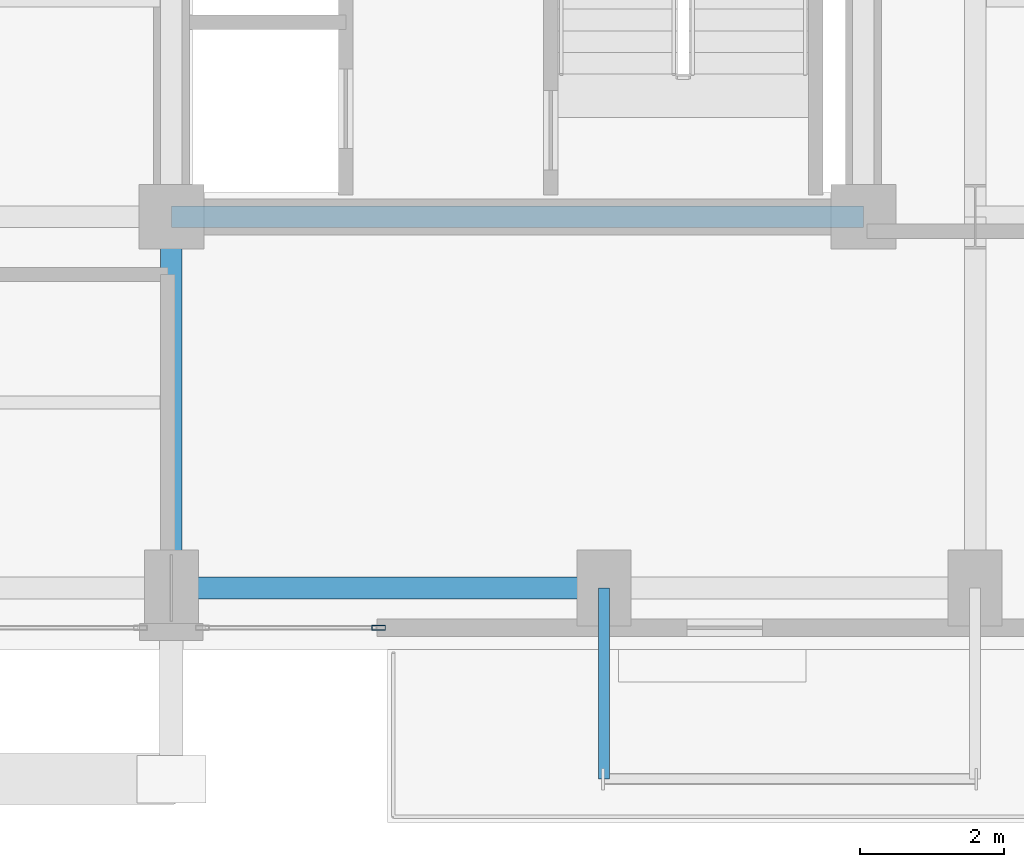
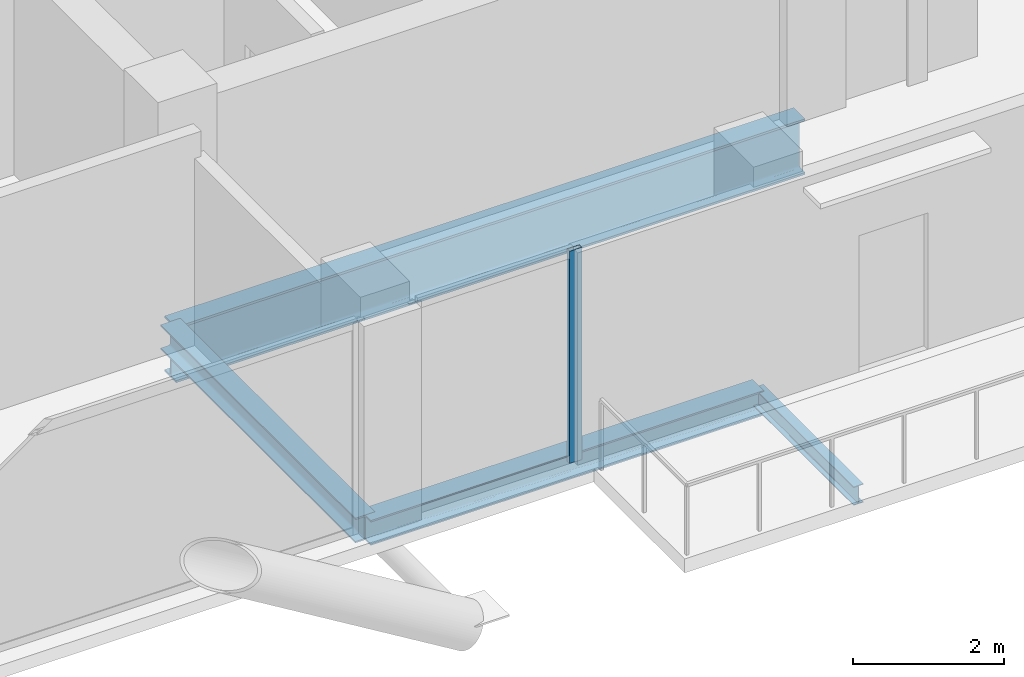
# One storey, part 5 of 25: 4 beams, 1 member, 1 element without a shape of its own.
"""IFC4 building model written with IfcOpenShell, lengths in metres."""

from ifc_helpers import new_model, si_unit, direction, frame, origin, origin_2d, place, context, subcontext, project, spatial, hollow_rectangle, i_section, extrude, material, layer, layer_set, material_profile, profile_set, type_object, element, aggregate, save


model = new_model("IFC4")

# Units and contexts
model_context = context("Model", 3, precision=1e-05, world=origin(), true_north=direction((0.0, 1.0)))
body_context = subcontext(model_context, "Body", "Model", "MODEL_VIEW")
ifc_project = project(units=[si_unit("LENGTHUNIT", "METRE"), si_unit("AREAUNIT", "SQUARE_METRE"), si_unit("VOLUMEUNIT", "CUBIC_METRE"), si_unit("PLANEANGLEUNIT", "RADIAN"), si_unit("MASSUNIT", "GRAM", prefix="KILO"), si_unit("THERMODYNAMICTEMPERATUREUNIT", "KELVIN"), si_unit("POWERUNIT", "WATT")], contexts=[model_context])

# Site, building, storey
site_placement = place(None, origin())
site = spatial("IfcSite", under=ifc_project, at=site_placement, CompositionType="ELEMENT")
building_placement = place(site_placement, origin())
building = spatial("IfcBuilding", under=site, at=building_placement, Name="Svarakhadi Broadcast Tower", CompositionType="ELEMENT")
storey_placement = place(building_placement, frame((0.0, 0.0, 231.14990234375)))
storey = spatial("IfcBuildingStorey", under=building, at=storey_placement, Name="L57", CompositionType="ELEMENT", Elevation=231.14990234375)

# Curtain wall, member
ifc_material_1 = material(Name="Anodised Bronze Aluminium AA 6063-T6", Category="aluminium")
ifc_layer = layer(ifc_material_1, 0.18994140625)
ifc_layer_set = layer_set([ifc_layer], Name="Anodised Bronze Aluminium AA 6063-T6")
curtain_wall_type = type_object("IfcCurtainWallType", Name="CW_Sys_04", PredefinedType="NOTDEFINED", material=ifc_layer_set)
curtain_wall_placement = place(storey_placement, origin())
curtain_wall = element("IfcCurtainWall", 1, at=curtain_wall_placement, inside=storey, type_object=curtain_wall_type, Name="L57 South Curtain Wall 17 Bay 1", PredefinedType="NOTDEFINED")
ifc_material_profile_1 = material_profile(ifc_material_1, hollow_rectangle(XDim=0.070068359375, YDim=0.18994140625, WallThickness=0.005615234375, at=origin_2d()), Name="ALU MULLION 190x70x6")
ifc_profile_set_1 = profile_set([ifc_material_profile_1], Name="Anodised Bronze Aluminium AA 6063-T6")
member_type = type_object("IfcMemberType", Name="CW_Sys_04_Mul", PredefinedType="MULLION", material=ifc_profile_set_1)
member_placement = place(storey_placement, frame((26.875, 0.300048828125, 0.0), z_axis=(0.0, 0.0, 1.0), x_axis=(0.0, -1.0, 0.0)))
member = element("IfcMember", 2, at=member_placement, type_object=member_type, Name="CW-04 mullion 1", PredefinedType="MULLION", context=body_context, shape_type="SweptSolid", body=[
    extrude(hollow_rectangle(XDim=0.070068359375, YDim=0.18994140625, WallThickness=0.005615234375, at=origin_2d()), origin(), (0.0, 0.0, 1.0), 3.425048828125),
])
aggregate(curtain_wall, [member])

# Beams
ifc_material_2 = material(Name="Steel S355J2 (IS 2062 E350C)", Category="steel")
ifc_material_profile_2 = material_profile(ifc_material_2, i_section(OverallWidth=0.300048828125, OverallDepth=0.39990234375, WebThickness=0.013427734375, FlangeThickness=0.02392578125, FilletRadius=0.027099609375, at=origin_2d()), Name="WPB 400x300x155")
ifc_profile_set_2 = profile_set([ifc_material_profile_2], Name="Steel S355J2 (IS 2062 E350C)")
beam_type_1 = type_object("IfcBeamType", Name="Girder_WPB400", PredefinedType="USERDEFINED", material=ifc_profile_set_2)
beam_1_placement = place(storey_placement, frame((24.0, 0.85009765625, -0.409912109375), z_axis=(1.0, 0.0, 0.0), x_axis=(0.0, 1.0, 0.0)))
element("IfcBeam", 3, at=beam_1_placement, inside=storey, type_object=beam_type_1, Name="L57 Primary E-W Girder G007", ObjectType="GIRDER", PredefinedType="USERDEFINED", context=body_context, shape_type="SweptSolid", body=[
    extrude(i_section(OverallWidth=0.300048828125, OverallDepth=0.39990234375, WebThickness=0.013427734375, FlangeThickness=0.02392578125, FilletRadius=0.027099609375, at=origin_2d()), origin(), (0.0, 0.0, 1.0), 6.0),
])
beam_2_placement = place(storey_placement, frame((24.0, 0.85009765625, -0.409912109375), z_axis=(0.0, 1.0, 0.0), x_axis=(-1.0, 0.0, 0.0)))
element("IfcBeam", 4, at=beam_2_placement, inside=storey, type_object=beam_type_1, Name="L57 Primary N-S Girder G051", ObjectType="GIRDER", PredefinedType="USERDEFINED", context=body_context, shape_type="SweptSolid", body=[
    extrude(i_section(OverallWidth=0.300048828125, OverallDepth=0.39990234375, WebThickness=0.013427734375, FlangeThickness=0.02392578125, FilletRadius=0.027099609375, at=origin_2d()), origin(), (0.0, 0.0, 1.0), 5.14990234375),
])
ifc_material_3 = material(Name="Steel S460ML (IS 2062 E450BR)", Category="steel")
ifc_material_profile_3 = material_profile(ifc_material_3, i_section(OverallWidth=0.300048828125, OverallDepth=0.89990234375, WebThickness=0.0185546875, FlangeThickness=0.034912109375, FilletRadius=0.030029296875, at=origin_2d()), Name="WPB 900x300x291")
ifc_profile_set_3 = profile_set([ifc_material_profile_3], Name="Steel S460ML (IS 2062 E450BR)")
beam_type_2 = type_object("IfcBeamType", Name="Girder_WPB900", PredefinedType="USERDEFINED", material=ifc_profile_set_3)
beam_3_placement = place(storey_placement, frame((24.0, 6.0, -0.659912109375), z_axis=(1.0, 0.0, 0.0), x_axis=(0.0, 1.0, 0.0)))
element("IfcBeam", 5, at=beam_3_placement, inside=storey, type_object=beam_type_2, Name="L57 Primary E-W Girder G013", ObjectType="GIRDER", PredefinedType="USERDEFINED", context=body_context, shape_type="SweptSolid", body=[
    extrude(i_section(OverallWidth=0.300048828125, OverallDepth=0.89990234375, WebThickness=0.0185546875, FlangeThickness=0.034912109375, FilletRadius=0.030029296875, at=origin_2d()), origin(), (0.0, 0.0, 1.0), 9.60009765625),
])
ifc_material_profile_4 = material_profile(ifc_material_2, i_section(OverallWidth=0.14990234375, OverallDepth=0.300048828125, WebThickness=0.007080078125, FlangeThickness=0.0107421875, FilletRadius=0.014892578125, at=origin_2d()), Name="NPB 300x150x37")
ifc_profile_set_4 = profile_set([ifc_material_profile_4], Name="Steel S355J2 (IS 2062 E350C)")
beam_type_3 = type_object("IfcBeamType", Name="Spandrel_NPB300", PredefinedType="SPANDREL", material=ifc_profile_set_4)
beam_4_placement = place(storey_placement, frame((30.0, 0.85009765625, -0.375), z_axis=(0.0, -1.0, 0.0), x_axis=(1.0, 0.0, 0.0)))
element("IfcBeam", 6, at=beam_4_placement, inside=storey, type_object=beam_type_3, Name="L57 Balcony Cantilever Bracket 1A", PredefinedType="SPANDREL", context=body_context, shape_type="SweptSolid", body=[
    extrude(i_section(OverallWidth=0.14990234375, OverallDepth=0.300048828125, WebThickness=0.007080078125, FlangeThickness=0.0107421875, FilletRadius=0.014892578125, at=origin_2d()), origin(), (0.0, 0.0, 1.0), 2.650146484375),
])

save(model, "model.ifc")
